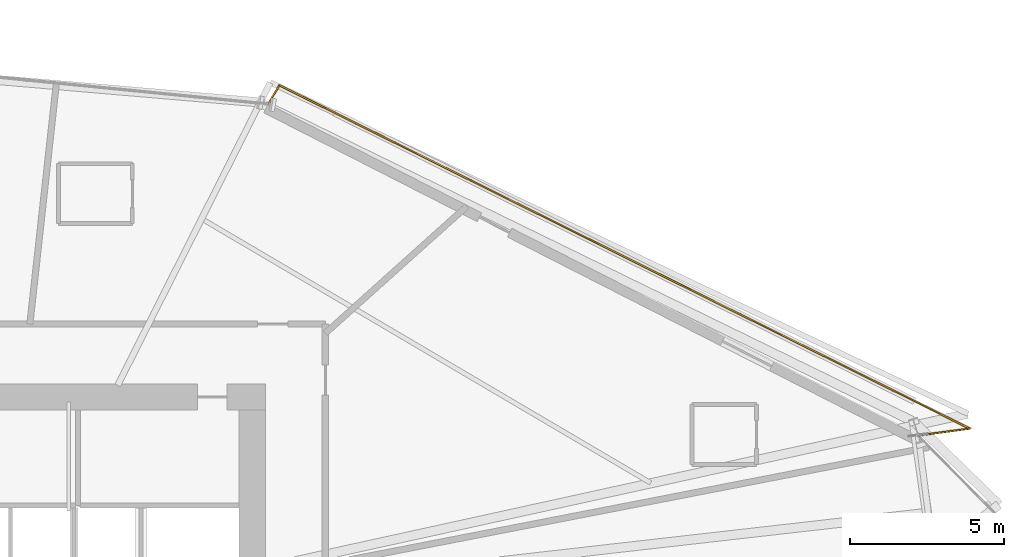
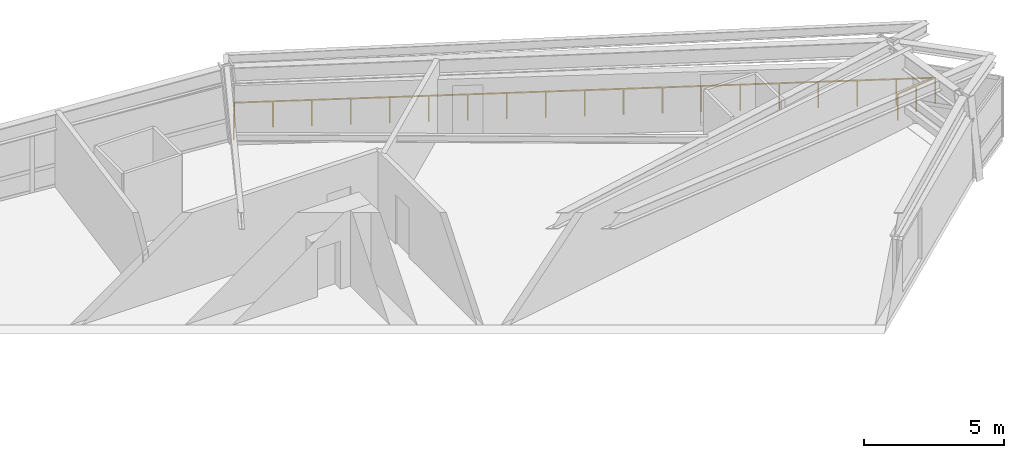
# One storey, part 24 of 24: 1 railing.
"""IFC4 building model written with IfcOpenShell, lengths in metres."""

from ifc_helpers import new_model, si_unit, direction, frame, origin, origin_2d, place, context, subcontext, project, spatial, rectangle, extrude, material, type_object, element, save


model = new_model("IFC4")

# Units and contexts
model_context = context("Model", 3, precision=1e-05, world=origin(), true_north=direction((0.0, 1.0)))
body_context = subcontext(model_context, "Body", "Model", "MODEL_VIEW")
ifc_project = project(units=[si_unit("LENGTHUNIT", "METRE"), si_unit("AREAUNIT", "SQUARE_METRE"), si_unit("VOLUMEUNIT", "CUBIC_METRE"), si_unit("PLANEANGLEUNIT", "RADIAN"), si_unit("MASSUNIT", "GRAM", prefix="KILO")], contexts=[model_context])

# Site, building, storey
site_placement = place(None, origin())
site = spatial("IfcSite", under=ifc_project, at=site_placement, CompositionType="ELEMENT")
building_placement = place(site_placement, origin())
building = spatial("IfcBuilding", under=site, at=building_placement, Name="Olszyna Solenne Hotel", CompositionType="ELEMENT")
storey_placement = place(building_placement, frame((0.0, 0.0, 64.800048828125)))
storey = spatial("IfcBuildingStorey", under=building, at=storey_placement, Name="L16", CompositionType="ELEMENT", Elevation=64.800048828125)

# Railing
ifc_material = material(Name="Anodised bronze aluminium", Category="aluminium")
railing_type = type_object("IfcRailingType", Name="GR-110", PredefinedType="BALUSTRADE", material=ifc_material)
railing_placement = place(storey_placement, frame((67.98974609375, 32.876708984375, 0.0)))
element("IfcRailing", 1, at=railing_placement, inside=storey, type_object=railing_type, Name="Loggia balcony balustrade guard GR-L16-LG1", PredefinedType="BALUSTRADE", context=body_context, shape_type="SweptSolid", body=[
    extrude(rectangle(XDim=0.048095703125, YDim=0.048095703125, at=origin_2d()), frame((0.0, 0.0, 1.1259765625), z_axis=(0.991166032538, 0.132626905053, 0.0), x_axis=(-0.132626905053, 0.991166032538, 0.0)), (0.0, 0.0, 1.0), 1.691650390625),
    extrude(rectangle(XDim=0.048095703125, YDim=0.048095703125, at=origin_2d()), frame((1.6767578125, 0.224365234375, 1.1259765625), z_axis=(-0.895406092489, 0.445250412165, 0.0), x_axis=(-0.445250412165, -0.895406092489, 0.0)), (0.0, 0.0, 1.0), 25.084716796875),
    extrude(rectangle(XDim=0.048095703125, YDim=0.048095703125, at=origin_2d()), frame((-20.7841796875, 11.393310546875, 1.1259765625), z_axis=(-0.509679750469, -0.86036419728, 0.0), x_axis=(0.86036419728, -0.509679750469, 0.0)), (0.0, 0.0, 1.0), 0.70947265625),
    extrude(rectangle(XDim=0.0419921875, YDim=0.0419921875, at=origin_2d()), origin(), (0.0, 0.0, 1.0), 1.101806640625),
    extrude(rectangle(XDim=0.0419921875, YDim=0.0419921875, at=origin_2d()), frame((0.83837890625, 0.1123046875, 0.0)), (0.0, 0.0, 1.0), 1.101806640625),
    extrude(rectangle(XDim=0.0419921875, YDim=0.0419921875, at=origin_2d()), frame((1.6767578125, 0.224365234375, 0.0)), (0.0, 0.0, 1.0), 1.101806640625),
    extrude(rectangle(XDim=0.0419921875, YDim=0.0419921875, at=origin_2d()), frame((0.428955078125, 0.844970703125, 0.0)), (0.0, 0.0, 1.0), 1.101806640625),
    extrude(rectangle(XDim=0.0419921875, YDim=0.0419921875, at=origin_2d()), frame((-0.81884765625, 1.46533203125, 0.0)), (0.0, 0.0, 1.0), 1.101806640625),
    extrude(rectangle(XDim=0.0419921875, YDim=0.0419921875, at=origin_2d()), frame((-2.066650390625, 2.0859375, 0.0)), (0.0, 0.0, 1.0), 1.101806640625),
    extrude(rectangle(XDim=0.0419921875, YDim=0.0419921875, at=origin_2d()), frame((-3.314453125, 2.706298828125, 0.0)), (0.0, 0.0, 1.0), 1.101806640625),
    extrude(rectangle(XDim=0.0419921875, YDim=0.0419921875, at=origin_2d()), frame((-4.5625, 3.326904296875, 0.0)), (0.0, 0.0, 1.0), 1.101806640625),
    extrude(rectangle(XDim=0.0419921875, YDim=0.0419921875, at=origin_2d()), frame((-5.810302734375, 3.947265625, 0.0)), (0.0, 0.0, 1.0), 1.101806640625),
    extrude(rectangle(XDim=0.0419921875, YDim=0.0419921875, at=origin_2d()), frame((-7.05810546875, 4.56787109375, 0.0)), (0.0, 0.0, 1.0), 1.101806640625),
    extrude(rectangle(XDim=0.0419921875, YDim=0.0419921875, at=origin_2d()), frame((-8.305908203125, 5.188232421875, 0.0)), (0.0, 0.0, 1.0), 1.101806640625),
    extrude(rectangle(XDim=0.0419921875, YDim=0.0419921875, at=origin_2d()), frame((-9.5537109375, 5.808837890625, 0.0)), (0.0, 0.0, 1.0), 1.101806640625),
    extrude(rectangle(XDim=0.0419921875, YDim=0.0419921875, at=origin_2d()), frame((-10.801513671875, 6.429443359375, 0.0)), (0.0, 0.0, 1.0), 1.101806640625),
    extrude(rectangle(XDim=0.0419921875, YDim=0.0419921875, at=origin_2d()), frame((-12.04931640625, 7.0498046875, 0.0)), (0.0, 0.0, 1.0), 1.101806640625),
    extrude(rectangle(XDim=0.0419921875, YDim=0.0419921875, at=origin_2d()), frame((-13.297119140625, 7.67041015625, 0.0)), (0.0, 0.0, 1.0), 1.101806640625),
    extrude(rectangle(XDim=0.0419921875, YDim=0.0419921875, at=origin_2d()), frame((-14.544921875, 8.290771484375, 0.0)), (0.0, 0.0, 1.0), 1.101806640625),
    extrude(rectangle(XDim=0.0419921875, YDim=0.0419921875, at=origin_2d()), frame((-15.79296875, 8.911376953125, 0.0)), (0.0, 0.0, 1.0), 1.101806640625),
    extrude(rectangle(XDim=0.0419921875, YDim=0.0419921875, at=origin_2d()), frame((-17.040771484375, 9.53173828125, 0.0)), (0.0, 0.0, 1.0), 1.101806640625),
    extrude(rectangle(XDim=0.0419921875, YDim=0.0419921875, at=origin_2d()), frame((-18.28857421875, 10.15234375, 0.0)), (0.0, 0.0, 1.0), 1.101806640625),
    extrude(rectangle(XDim=0.0419921875, YDim=0.0419921875, at=origin_2d()), frame((-19.536376953125, 10.772705078125, 0.0)), (0.0, 0.0, 1.0), 1.101806640625),
    extrude(rectangle(XDim=0.0419921875, YDim=0.0419921875, at=origin_2d()), frame((-20.7841796875, 11.393310546875, 0.0)), (0.0, 0.0, 1.0), 1.101806640625),
    extrude(rectangle(XDim=0.0419921875, YDim=0.0419921875, at=origin_2d()), frame((-21.145751953125, 10.782958984375, 0.0)), (0.0, 0.0, 1.0), 1.101806640625),
])

save(model, "model.ifc")
